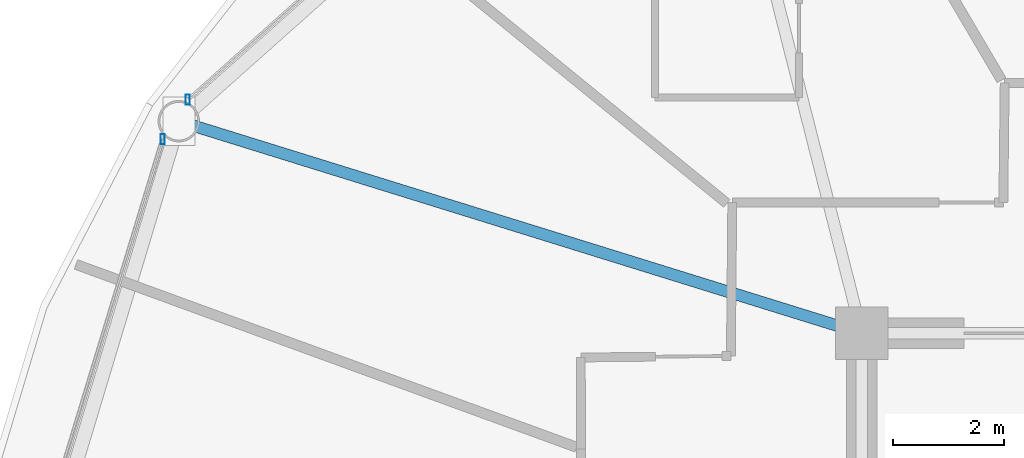
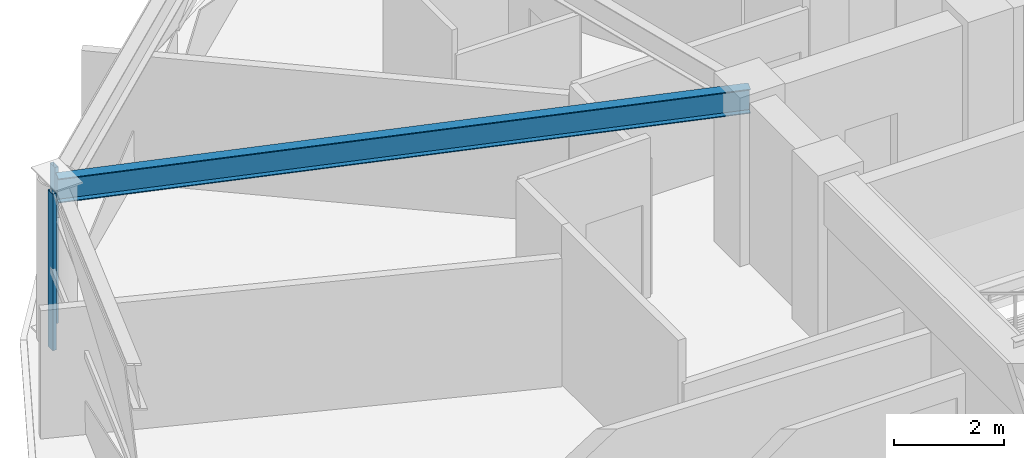
# One storey, part 14 of 31: 2 members, 1 beam, 2 elements without a shape of their own.
"""IFC4 building model written with IfcOpenShell, lengths in metres."""

from ifc_helpers import new_model, si_unit, direction, frame, origin, origin_2d, place, context, subcontext, project, spatial, hollow_rectangle, i_section, extrude, material, layer, layer_set, material_profile, profile_set, type_object, element, aggregate, save


model = new_model("IFC4")

# Units and contexts
model_context = context("Model", 3, precision=1e-05, world=origin(), true_north=direction((0.0, 1.0)))
body_context = subcontext(model_context, "Body", "Model", "MODEL_VIEW")
ifc_project = project(units=[si_unit("LENGTHUNIT", "METRE"), si_unit("AREAUNIT", "SQUARE_METRE"), si_unit("VOLUMEUNIT", "CUBIC_METRE"), si_unit("PLANEANGLEUNIT", "RADIAN"), si_unit("MASSUNIT", "GRAM", prefix="KILO")], contexts=[model_context])

# Site, building, storey
site_placement = place(None, origin())
site = spatial("IfcSite", under=ifc_project, at=site_placement, CompositionType="ELEMENT")
building_placement = place(site_placement, origin())
building = spatial("IfcBuilding", under=site, at=building_placement, Name="Vantalir Tower", CompositionType="ELEMENT")
storey_placement = place(building_placement, frame((0.0, 0.0, 115.949951171875)))
storey = spatial("IfcBuildingStorey", under=building, at=storey_placement, Name="L28", CompositionType="ELEMENT", Elevation=115.949951171875)

# Beam
ifc_material_1 = material(Name="Steel S355", Category="steel")
ifc_material_profile_1 = material_profile(ifc_material_1, i_section(OverallWidth=0.2109375, OverallDepth=0.5390625, WebThickness=0.01171875, FlangeThickness=0.018798828125, at=origin_2d()), Name="Steel S355")
ifc_profile_set_1 = profile_set([ifc_material_profile_1], Name="Steel S355")
beam_type = type_object("IfcBeamType", Name="BM-RB-533x210", PredefinedType="BEAM", material=ifc_profile_set_1)
beam_placement = place(storey_placement, frame((9.554931640625, 36.282958984375, 3.300048828125), z_axis=(0.955024490014, -0.296526935493, 0.0), x_axis=(0.296526935493, 0.955024490014, 0.0)))
element("IfcBeam", 1, at=beam_placement, inside=storey, type_object=beam_type, Name="L28 Radial Floor Beam 06", PredefinedType="BEAM", context=body_context, shape_type="SweptSolid", body=[
    extrude(i_section(OverallWidth=0.2109375, OverallDepth=0.5390625, WebThickness=0.01171875, FlangeThickness=0.018798828125, at=origin_2d()), origin(), (0.0, 0.0, 1.0), 12.92626953125),
])

# Curtain wall, member
ifc_material_2 = material(Name="Champagne-silver PVDF aluminium and double-silver Low-E glass", Category="aluminium")
ifc_layer = layer(ifc_material_2, 0.199951171875)
ifc_layer_set = layer_set([ifc_layer], Name="Champagne-silver PVDF aluminium and double-silver Low-E glass")
curtain_wall_type = type_object("IfcCurtainWallType", Name="CW-DIAMOND-Z2", PredefinedType="USERDEFINED", material=ifc_layer_set)
curtain_wall_1_placement = place(storey_placement, origin())
curtain_wall_1 = element("IfcCurtainWall", 2, at=curtain_wall_1_placement, inside=storey, type_object=curtain_wall_type, Name="L28 Quilted Pyramid-Diamond Curtain Wall S05", ObjectType="UNITISED CURTAIN WALL", PredefinedType="USERDEFINED")
ifc_material_3 = material(Name="Champagne-silver PVDF aluminium 6063-T6", Category="aluminium")
ifc_material_profile_2 = material_profile(ifc_material_3, hollow_rectangle(XDim=0.074951171875, YDim=0.179931640625, WallThickness=0.00390625, at=origin_2d()), Name="Champagne-silver PVDF aluminium 6063-T6")
ifc_profile_set_2 = profile_set([ifc_material_profile_2], Name="Champagne-silver PVDF aluminium 6063-T6")
member_type = type_object("IfcMemberType", Name="CWM-180x75", PredefinedType="MULLION", material=ifc_profile_set_2)
member_1_placement = place(storey_placement, frame((9.718017578125, 36.6708984375, 0.045166015625), z_axis=(0.0, 0.0, 1.0), x_axis=(1.0, 0.0, 0.0)))
member_1 = element("IfcMember", 3, at=member_1_placement, type_object=member_type, Name="CW-L28-S05 Mullion 2", PredefinedType="MULLION", context=body_context, shape_type="SweptSolid", body=[
    extrude(hollow_rectangle(XDim=0.074951171875, YDim=0.179931640625, WallThickness=0.00390625, at=origin_2d()), origin(), (0.0, 0.0, 1.0), 3.47998046875),
])
aggregate(curtain_wall_1, [member_1])

curtain_wall_2_placement = place(storey_placement, origin())
curtain_wall_2 = element("IfcCurtainWall", 4, at=curtain_wall_2_placement, inside=storey, type_object=curtain_wall_type, Name="L28 Quilted Pyramid-Diamond Curtain Wall S06", ObjectType="UNITISED CURTAIN WALL", PredefinedType="USERDEFINED")
member_2_placement = place(storey_placement, frame((9.262939453125, 35.95703125, 0.045166015625), z_axis=(0.0, 0.0, 1.0), x_axis=(1.0, 0.0, 0.0)))
member_2 = element("IfcMember", 5, at=member_2_placement, type_object=member_type, Name="CW-L28-S06 Mullion 1", PredefinedType="MULLION", context=body_context, shape_type="SweptSolid", body=[
    extrude(hollow_rectangle(XDim=0.074951171875, YDim=0.179931640625, WallThickness=0.00390625, at=origin_2d()), origin(), (0.0, 0.0, 1.0), 3.47998046875),
])
aggregate(curtain_wall_2, [member_2])

save(model, "model.ifc")
